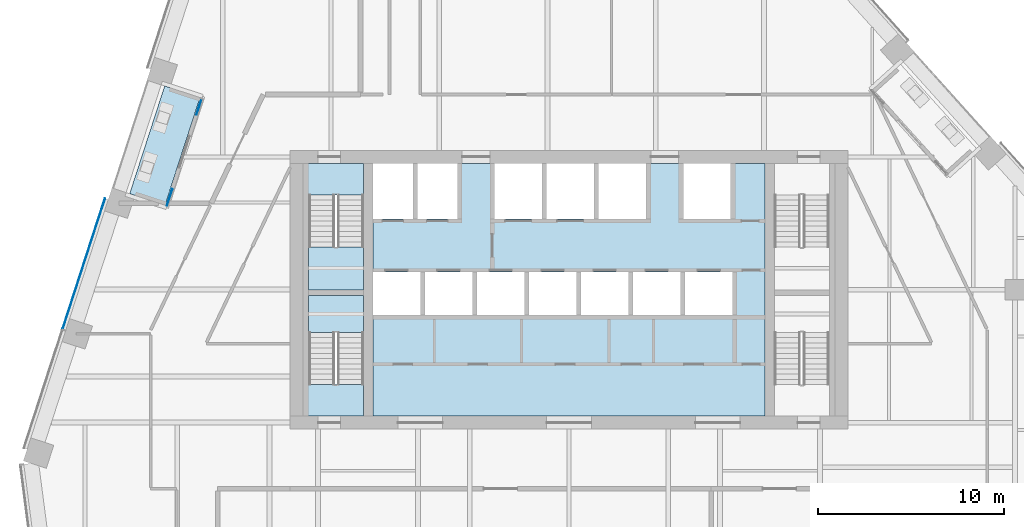
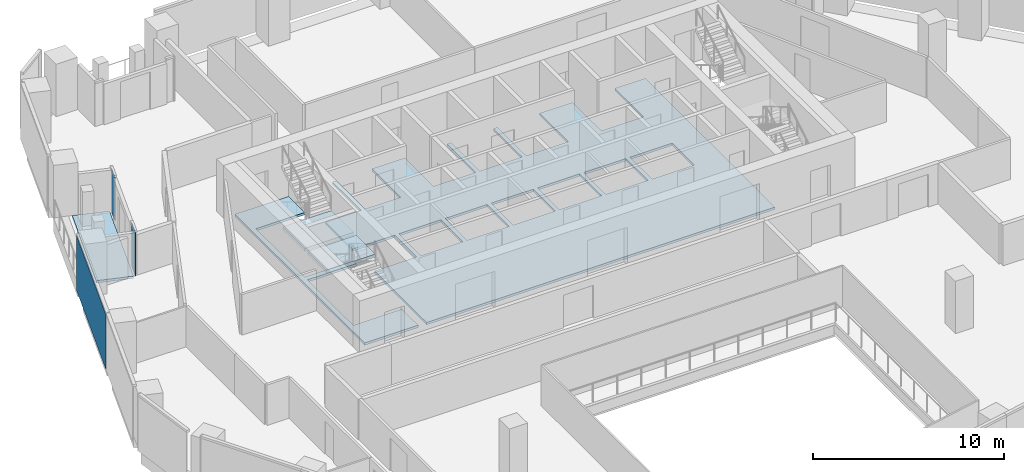
# One storey, part 16 of 26: 5 slabs, 3 plates, 4 elements without a shape of their own.
"""IFC4 building model written with IfcOpenShell, lengths in metres."""

from ifc_helpers import new_model, si_unit, direction, frame, origin, origin_2d, place, context, subcontext, project, spatial, polyline, rectangle, outline, extrude, material, layer, layer_set, type_object, element, aggregate, save


model = new_model("IFC4")

# Units and contexts
model_context = context("Model", 3, precision=1e-05, world=origin(), true_north=direction((0.0, 1.0)))
body_context = subcontext(model_context, "Body", "Model", "MODEL_VIEW")
ifc_project = project(units=[si_unit("LENGTHUNIT", "METRE"), si_unit("AREAUNIT", "SQUARE_METRE"), si_unit("VOLUMEUNIT", "CUBIC_METRE"), si_unit("PLANEANGLEUNIT", "RADIAN"), si_unit("MASSUNIT", "GRAM", prefix="KILO")], contexts=[model_context])

# Site, building, storey
site_placement = place(None, origin())
site = spatial("IfcSite", under=ifc_project, at=site_placement, CompositionType="ELEMENT")
building_placement = place(site_placement, origin())
building = spatial("IfcBuilding", under=site, at=building_placement, Name="Isthmus Gate Tower", CompositionType="ELEMENT")
storey_placement = place(building_placement, frame((0.0, 0.0, 203.64990234375)))
storey = spatial("IfcBuildingStorey", under=building, at=storey_placement, Name="L51", CompositionType="ELEMENT", Elevation=203.64990234375)

# Slabs
ifc_material_1 = material(Name="Concrete f'c 40 MPa", Category="concrete")
ifc_layer_1 = layer(ifc_material_1, 0.14990234375)
ifc_layer_set_1 = layer_set([ifc_layer_1], Name="CORE FLOOR SLAB 150")
slab_type_1 = type_object("IfcSlabType", Name="CORE FLOOR SLAB 150", PredefinedType="FLOOR", material=ifc_layer_set_1)
slab_1_placement = place(storey_placement, frame((0.0, 0.0, -0.14990234375)))
element("IfcSlab", 1, at=slab_1_placement, inside=storey, type_object=slab_type_1, Name="L51 core floor", PredefinedType="FLOOR", context=body_context, shape_type="SweptSolid", body=[
    extrude(outline(polyline([(-11.050048828125, 0.699951171875), (-11.050048828125, 2.402099609375), (-14.0, 2.402099609375), (-14.0, 7.199951171875), (-11.050048828125, 7.199951171875), (-11.050048828125, 7.5), (-14.0, 7.5), (-14.0, 12.597900390625), (-11.050048828125, 12.597900390625), (-11.050048828125, 14.300048828125), (-14.300048828125, 14.300048828125), (-14.300048828125, 0.699951171875), (-11.050048828125, 0.699951171875)])), origin(), (0.0, 0.0, 1.0), 0.14990234375),
])
slab_2_placement = place(storey_placement, frame((0.0, 0.0, -0.14990234375)))
element("IfcSlab", 2, at=slab_2_placement, inside=storey, type_object=slab_type_1, Name="L51 core floor", PredefinedType="FLOOR", context=body_context, shape_type="SweptSolid", body=[
    extrude(outline(polyline([(10.550048828125, 14.300048828125), (8.699951171875, 14.300048828125), (8.699951171875, 11.300048828125), (6.14990234375, 11.300048828125), (6.14990234375, 14.300048828125), (4.14990234375, 14.300048828125), (4.14990234375, 11.300048828125), (1.60009765625, 11.300048828125), (1.60009765625, 14.300048828125), (1.35009765625, 14.300048828125), (1.35009765625, 11.300048828125), (-1.199951171875, 11.300048828125), (-1.199951171875, 14.300048828125), (-1.449951171875, 14.300048828125), (-1.449951171875, 11.300048828125), (-4.0, 11.300048828125), (-4.0, 14.300048828125), (-6.0, 14.300048828125), (-6.0, 11.300048828125), (-8.14990234375, 11.300048828125), (-8.14990234375, 14.300048828125), (-8.39990234375, 14.300048828125), (-8.39990234375, 11.300048828125), (-10.550048828125, 11.300048828125), (-10.550048828125, 8.449951171875), (-8.0, 8.449951171875), (-8.0, 6.14990234375), (-10.550048828125, 6.14990234375), (-10.550048828125, 0.699951171875), (10.550048828125, 0.699951171875), (10.550048828125, 14.300048828125)]), holes=[polyline([(-5.199951171875, 8.449951171875), (-5.199951171875, 6.14990234375), (-7.75, 6.14990234375), (-7.75, 8.449951171875), (-5.199951171875, 8.449951171875)]), polyline([(-2.39990234375, 8.449951171875), (-2.39990234375, 6.14990234375), (-4.949951171875, 6.14990234375), (-4.949951171875, 8.449951171875), (-2.39990234375, 8.449951171875)]), polyline([(0.39990234375, 8.449951171875), (0.39990234375, 6.14990234375), (-2.14990234375, 6.14990234375), (-2.14990234375, 8.449951171875), (0.39990234375, 8.449951171875)]), polyline([(3.199951171875, 8.449951171875), (3.199951171875, 6.14990234375), (0.64990234375, 6.14990234375), (0.64990234375, 8.449951171875), (3.199951171875, 8.449951171875)]), polyline([(6.0, 8.449951171875), (6.0, 6.14990234375), (3.449951171875, 6.14990234375), (3.449951171875, 8.449951171875), (6.0, 8.449951171875)]), polyline([(8.800048828125, 8.449951171875), (8.800048828125, 6.14990234375), (6.25, 6.14990234375), (6.25, 8.449951171875), (8.800048828125, 8.449951171875)])]), origin(), (0.0, 0.0, 1.0), 0.14990234375),
])

# Curtain wall, plate
ifc_material_2 = material(Name="Aluminium, pale champagne anodised", Category="aluminium")
ifc_layer_2 = layer(ifc_material_2, 0.199951171875)
ifc_layer_set_2 = layer_set([ifc_layer_2], Name="CW-1 UNITISED CURTAIN WALL 200 DEEP")
curtain_wall_type_1 = type_object("IfcCurtainWallType", Name="CW-1 UNITISED CURTAIN WALL 200 DEEP", PredefinedType="NOTDEFINED", material=ifc_layer_set_2)
curtain_wall_1_placement = place(storey_placement, origin())
curtain_wall_1 = element("IfcCurtainWall", 3, at=curtain_wall_1_placement, inside=storey, type_object=curtain_wall_type_1, Name="CW-1 NW L51", PredefinedType="NOTDEFINED")
ifc_material_3 = material(Name="Laminated low-iron glass, pale blue tint", Category="glass")
ifc_layer_3 = layer(ifc_material_3, 0.035888671875)
ifc_layer_set_3 = layer_set([ifc_layer_3], Name="CW-1 CLEAR GLASS LITE 36")
plate_type_1 = type_object("IfcPlateType", Name="CW-1 CLEAR GLASS LITE 36", PredefinedType="CURTAIN_PANEL", material=ifc_layer_set_3)
plate_1_placement = place(storey_placement, frame((-26.09765625, 8.8984375, 0.0), z_axis=(0.0, 0.0, 1.0), x_axis=(-0.309016994375, -0.951056516295, 0.0)))
plate_1 = element("IfcPlate", 4, at=plate_1_placement, type_object=plate_type_1, Name="CW-1 glass lite", PredefinedType="CURTAIN_PANEL", context=body_context, shape_type="SweptSolid", body=[
    extrude(rectangle(XDim=7.390869140625, YDim=0.035888671875, at=origin_2d()), origin(), (0.0, 0.0, 1.0), 3.510009765625),
])
aggregate(curtain_wall_1, [plate_1])

# Curtain wall, plates
ifc_material_4 = material(Name="Aluminium, pale champagne anodised", Category="aluminium")
ifc_layer_4 = layer(ifc_material_4, 0.14990234375)
ifc_layer_set_4 = layer_set([ifc_layer_4], Name="CW-6 LOGGIA BACK WALL GLAZING 150 DEEP")
curtain_wall_type_2 = type_object("IfcCurtainWallType", Name="CW-6 LOGGIA BACK WALL GLAZING 150 DEEP", PredefinedType="NOTDEFINED", material=ifc_layer_set_4)
curtain_wall_2_placement = place(storey_placement, origin())
curtain_wall_2 = element("IfcCurtainWall", 5, at=curtain_wall_2_placement, inside=storey, type_object=curtain_wall_type_2, Name="CW-6 NW L51", PredefinedType="NOTDEFINED")
ifc_material_5 = material(Name="Laminated low-iron glass, clear", Category="glass")
ifc_layer_5 = layer(ifc_material_5, 0.031982421875)
ifc_layer_set_5 = layer_set([ifc_layer_5], Name="CW-6 CLEAR GLASS LITE 32")
plate_type_2 = type_object("IfcPlateType", Name="CW-6 CLEAR GLASS LITE 32", PredefinedType="CURTAIN_PANEL", material=ifc_layer_set_5)
plate_2_placement = place(storey_placement, frame((-19.90673828125, 17.33154296875, 0.0), z_axis=(0.0, 0.0, 1.0), x_axis=(-0.309016994375, -0.951056516295, 0.0)))
plate_2 = element("IfcPlate", 6, at=plate_2_placement, type_object=plate_type_2, Name="CW-6 glass lite", PredefinedType="CURTAIN_PANEL", context=body_context, shape_type="SweptSolid", body=[
    extrude(rectangle(XDim=0.885498046875, YDim=0.031982421875, at=origin_2d()), origin(), (0.0, 0.0, 1.0), 2.780029296875),
])
plate_3_placement = place(storey_placement, frame((-21.4873046875, 12.466552734375, 0.0), z_axis=(0.0, 0.0, 1.0), x_axis=(-0.309016994375, -0.951056516295, 0.0)))
plate_3 = element("IfcPlate", 7, at=plate_3_placement, type_object=plate_type_2, Name="CW-6 glass lite", PredefinedType="CURTAIN_PANEL", context=body_context, shape_type="SweptSolid", body=[
    extrude(rectangle(XDim=0.9453125, YDim=0.031982421875, at=origin_2d()), origin(), (0.0, 0.0, 1.0), 2.780029296875),
])
aggregate(curtain_wall_2, [plate_2, plate_3])

# Slab
ifc_material_6 = material(Name="Concrete f'c 50 MPa", Category="concrete")
ifc_layer_6 = layer(ifc_material_6, 0.14990234375)
ifc_layer_set_6 = layer_set([ifc_layer_6], Name="LOGGIA FLOOR SLAB 150")
slab_type_2 = type_object("IfcSlabType", Name="LOGGIA FLOOR SLAB 150", PredefinedType="FLOOR", material=ifc_layer_set_6)
slab_3_placement = place(storey_placement, frame((0.0, 0.0, -0.14990234375)))
element("IfcSlab", 8, at=slab_3_placement, inside=storey, type_object=slab_type_2, Name="LOGGIA FLOOR", PredefinedType="FLOOR", context=body_context, shape_type="SweptSolid", body=[
    extrude(outline(polyline([(-21.74853515625, 18.458740234375), (-23.630615234375, 12.666015625), (-21.728515625, 12.0478515625), (-19.846435546875, 17.840576171875), (-21.74853515625, 18.458740234375)])), origin(), (0.0, 0.0, 1.0), 0.14990234375),
])

# Stair, slab
ifc_material_7 = material(Name="Concrete f'c 40 MPa", Category="concrete")
stair_type = type_object("IfcStairType", Name="CORE STAIR 22 RISERS", PredefinedType="HALF_TURN_STAIR", material=ifc_material_7)
stair_1_placement = place(storey_placement, origin())
stair_1 = element("IfcStair", 9, at=stair_1_placement, inside=storey, type_object=stair_type, Name="L51 Exit Stair 1", PredefinedType="HALF_TURN_STAIR")
ifc_material_8 = material(Name="Concrete f'c 40 MPa", Category="concrete")
ifc_layer_7 = layer(ifc_material_8, 0.199951171875)
ifc_layer_set_7 = layer_set([ifc_layer_7])
slab_type_3 = type_object("IfcSlabType", Name="STAIR LANDING RC 200", PredefinedType="LANDING", material=ifc_layer_set_7)
slab_4_placement = place(storey_placement, frame((0.0, 0.0, 1.625)))
slab_4 = element("IfcSlab", 10, at=slab_4_placement, type_object=slab_type_3, Name="ST1 landing 1", PredefinedType="LANDING", context=body_context, shape_type="SweptSolid", body=[
    extrude(outline(polyline([(-14.0, 9.800048828125), (-14.0, 7.5), (-11.050048828125, 7.5), (-11.050048828125, 9.800048828125), (-14.0, 9.800048828125)])), origin(), (0.0, 0.0, 1.0), 0.2001953125),
])
aggregate(stair_1, [slab_4])

stair_2_placement = place(storey_placement, origin())
stair_2 = element("IfcStair", 11, at=stair_2_placement, inside=storey, type_object=stair_type, Name="L51 Exit Stair 7", PredefinedType="HALF_TURN_STAIR")
slab_5_placement = place(storey_placement, frame((0.0, 0.0, 1.625)))
slab_5 = element("IfcSlab", 12, at=slab_5_placement, type_object=slab_type_3, Name="ST7 landing 1", PredefinedType="LANDING", context=body_context, shape_type="SweptSolid", body=[
    extrude(outline(polyline([(-11.050048828125, 5.199951171875), (-11.050048828125, 7.199951171875), (-14.0, 7.199951171875), (-14.0, 5.199951171875), (-11.050048828125, 5.199951171875)])), origin(), (0.0, 0.0, 1.0), 0.2001953125),
])
aggregate(stair_2, [slab_5])

save(model, "model.ifc")
